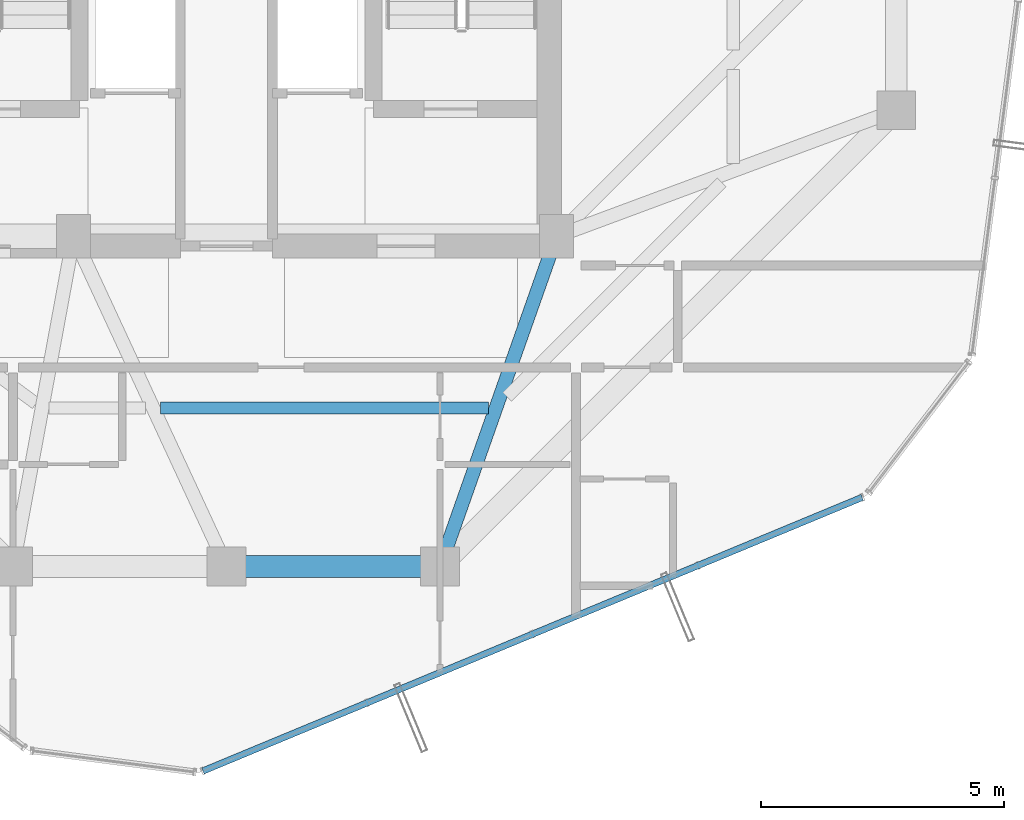
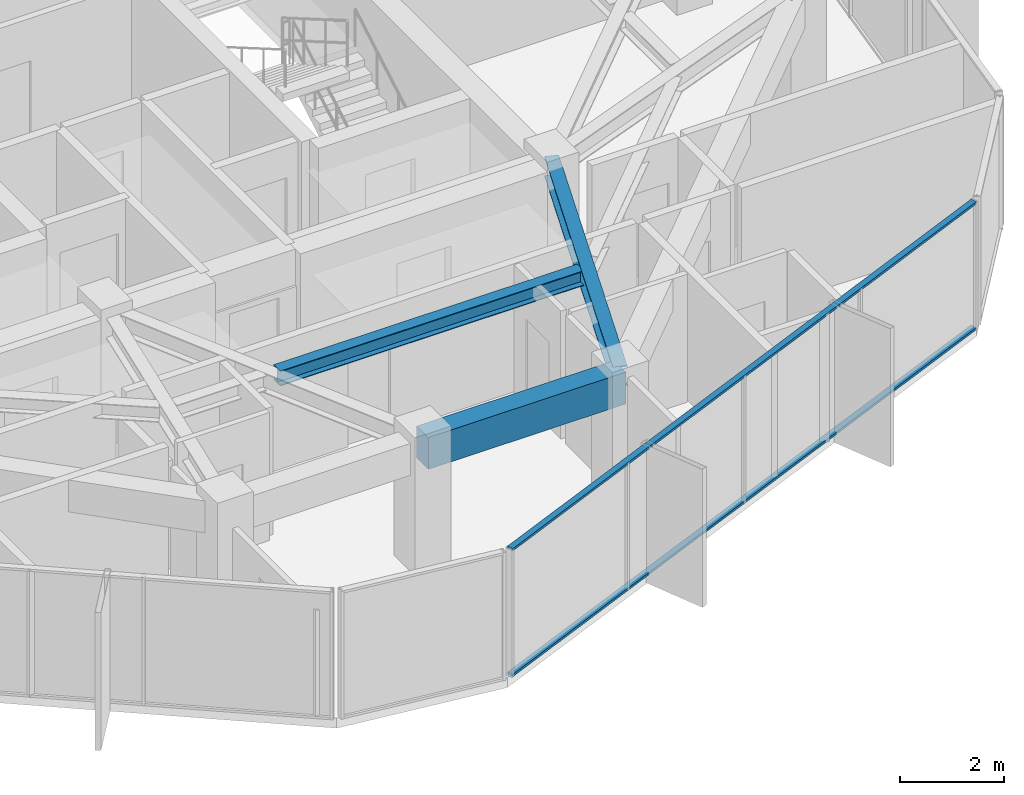
# One storey, part 9 of 31: 3 beams, 2 members, 1 element without a shape of its own.
"""IFC4 building model written with IfcOpenShell, lengths in metres."""

from ifc_helpers import new_model, si_unit, direction, frame, origin, origin_2d, place, context, subcontext, project, spatial, rectangle, hollow_rectangle, i_section, extrude, source, transform, mapped, material, layer, layer_set, material_profile, profile_set, type_object, element, aggregate, save


model = new_model("IFC4")

# Units and contexts
model_context = context("Model", 3, precision=1e-05, world=origin(), true_north=direction((0.0, 1.0)))
body_context = subcontext(model_context, "Body", "Model", "MODEL_VIEW")
ifc_project = project(units=[si_unit("LENGTHUNIT", "METRE"), si_unit("AREAUNIT", "SQUARE_METRE"), si_unit("VOLUMEUNIT", "CUBIC_METRE"), si_unit("PLANEANGLEUNIT", "RADIAN"), si_unit("MASSUNIT", "GRAM", prefix="KILO")], contexts=[model_context])

# Site, building, storey
site_placement = place(None, origin())
site = spatial("IfcSite", under=ifc_project, at=site_placement, CompositionType="ELEMENT")
building_placement = place(site_placement, origin())
building = spatial("IfcBuilding", under=site, at=building_placement, Name="Veraguas Prism Commons", CompositionType="ELEMENT")
storey_placement = place(building_placement, frame((0.0, 0.0, 233.300048828125)))
storey = spatial("IfcBuildingStorey", under=building, at=storey_placement, Name="L66", CompositionType="ELEMENT", Elevation=233.300048828125)

# Beams
ifc_material_1 = material(Name="Concrete C50/60", Category="concrete")
ifc_material_profile_1 = material_profile(ifc_material_1, rectangle(XDim=0.449951171875, YDim=0.75, at=origin_2d()), Name="RC450X750")
ifc_profile_set_1 = profile_set([ifc_material_profile_1], Name="Concrete C50/60")
beam_type_1 = type_object("IfcBeamType", Name="Perimeter Spandrel Upper RC 450x750", PredefinedType="SPANDREL", material=ifc_profile_set_1)
beam_1_placement = place(storey_placement, frame((24.0, 10.199951171875, 2.639892578125), z_axis=(1.0, 0.0, 0.0), x_axis=(0.0, 1.0, 0.0)))
element("IfcBeam", 1, at=beam_1_placement, inside=storey, type_object=beam_type_1, Name="Perimeter Spandrel Beam L66-SP11", PredefinedType="SPANDREL", context=body_context, shape_type="SweptSolid", body=[
    extrude(rectangle(XDim=0.449951171875, YDim=0.75, at=origin_2d()), origin(), (0.0, 0.0, 1.0), 4.39990234375),
])
ifc_material_2 = material(Name="Steel ASTM A992 Grade 50", Category="steel")
ifc_material_profile_2 = material_profile(ifc_material_2, i_section(OverallWidth=0.25390625, OverallDepth=0.35302734375, WebThickness=0.009521484375, FlangeThickness=0.016357421875, at=origin_2d()), Name="W360X91")
ifc_profile_set_2 = profile_set([ifc_material_profile_2], Name="Steel ASTM A992 Grade 50")
beam_type_2 = type_object("IfcBeamType", Name="Upper Floor Joist W360x91", PredefinedType="JOIST", material=ifc_profile_set_2)
beam_2_placement = place(storey_placement, frame((22.6416015625, 13.464111328125, 2.83837890625), z_axis=(1.0, 0.0, 0.0), x_axis=(0.0, 1.0, 0.0)))
element("IfcBeam", 2, at=beam_2_placement, inside=storey, type_object=beam_type_2, Name="Composite Floor Joist L66-JS11", PredefinedType="JOIST", context=body_context, shape_type="SweptSolid", body=[
    extrude(i_section(OverallWidth=0.25390625, OverallDepth=0.35302734375, WebThickness=0.009521484375, FlangeThickness=0.016357421875, at=origin_2d()), origin(), (0.0, 0.0, 1.0), 6.762451171875),
])
ifc_material_profile_3 = material_profile(ifc_material_2, i_section(OverallWidth=0.282958984375, OverallDepth=0.471923828125, WebThickness=0.013671875, FlangeThickness=0.022216796875, at=origin_2d()), Name="W460X144")
ifc_profile_set_3 = profile_set([ifc_material_profile_3], Name="Steel ASTM A992 Grade 50")
beam_type_3 = type_object("IfcBeamType", Name="Zone 4 Radial Girder W460x144", PredefinedType="BEAM", material=ifc_profile_set_3)
beam_3_placement = place(storey_placement, frame((28.39990234375, 10.199951171875, 2.779052734375), z_axis=(0.332836055941, 0.942984708182, 0.0), x_axis=(-0.942984708182, 0.332836055941, 0.0)))
element("IfcBeam", 3, at=beam_3_placement, inside=storey, type_object=beam_type_3, Name="Radial Floor Girder L66-RD12", PredefinedType="BEAM", context=body_context, shape_type="SweptSolid", body=[
    extrude(i_section(OverallWidth=0.282958984375, OverallDepth=0.471923828125, WebThickness=0.013671875, FlangeThickness=0.022216796875, at=origin_2d()), origin(), (0.0, 0.0, 1.0), 7.211181640625),
])

# Curtain wall, members
ifc_material_3 = material(Name="Anodised aluminium EN AW-6063 T6", Category="aluminium")
ifc_layer = layer(ifc_material_3, 0.14990234375, Name="Unitised Flush Curtain Wall Zone 4", Category="aluminium")
ifc_layer_set = layer_set([ifc_layer], Name="Anodised aluminium EN AW-6063 T6")
curtain_wall_type = type_object("IfcCurtainWallType", Name="Unitised Flush Curtain Wall Zone 4", PredefinedType="NOTDEFINED", material=ifc_layer_set)
curtain_wall_placement = place(storey_placement, origin())
curtain_wall = element("IfcCurtainWall", 4, at=curtain_wall_placement, inside=storey, type_object=curtain_wall_type, Name="Tower Facade Curtain Wall L66-F5", PredefinedType="NOTDEFINED")
ifc_material_profile_4 = material_profile(ifc_material_3, hollow_rectangle(XDim=0.054931640625, YDim=0.135009765625, WallThickness=0.0029296875, at=origin_2d()), Name="AL55X135X3")
ifc_profile_set_4 = profile_set([ifc_material_profile_4], Name="Anodised aluminium EN AW-6063 T6")
member_type = type_object("IfcMemberType", Name="Curtain Wall Transom Standard AL 55x135x3", PredefinedType="USERDEFINED", material=ifc_profile_set_4)
shared_shape = source(origin(), body_context, "Body", "SweptSolid", [
    extrude(hollow_rectangle(XDim=0.054931640625, YDim=0.135009765625, WallThickness=0.0029296875, at=origin_2d()), origin(), (0.0, 0.0, 1.0), 14.706298828125),
])
member_1_placement = place(storey_placement, frame((23.515869140625, 5.98388671875, 0.02734375), z_axis=(0.923616283384, 0.383318354723, 0.0), x_axis=(0.0, 0.0, 1.0)))
member_1 = element("IfcMember", 5, at=member_1_placement, type_object=member_type, Name="CW-Z4 Transom 1", ObjectType="TRANSOM", PredefinedType="USERDEFINED", context=body_context, shape_type="MappedRepresentation", body=[
    mapped(shared_shape, transform((0.0, 0.0, 0.0), scale=1.0)),
])
member_2_placement = place(storey_placement, frame((23.515869140625, 5.98388671875, 2.987548828125), z_axis=(0.923616283384, 0.383318354723, 0.0), x_axis=(0.0, 0.0, 1.0)))
member_2 = element("IfcMember", 6, at=member_2_placement, type_object=member_type, Name="CW-Z4 Transom 2", ObjectType="TRANSOM", PredefinedType="USERDEFINED", context=body_context, shape_type="MappedRepresentation", body=[
    mapped(shared_shape, transform((0.0, 0.0, 0.0), scale=1.0)),
])
aggregate(curtain_wall, [member_1, member_2])

save(model, "model.ifc")
